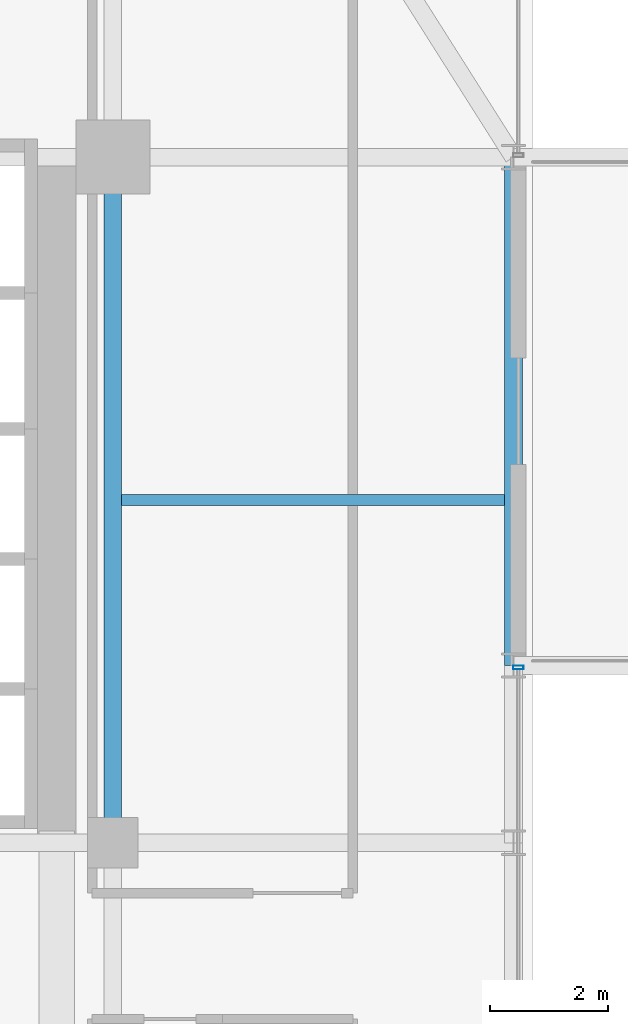
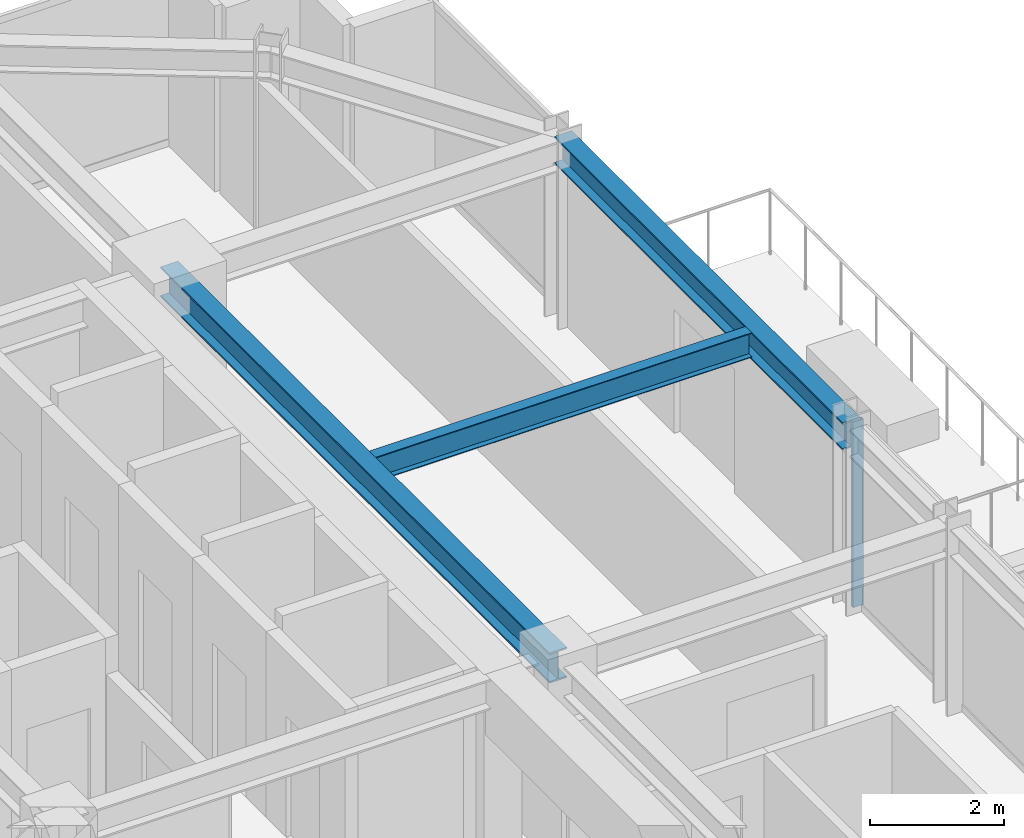
# One storey, part 21 of 32: 3 beams, 1 member, 1 element without a shape of its own.
"""IFC4 building model written with IfcOpenShell, lengths in metres."""

from ifc_helpers import new_model, si_unit, direction, frame, origin, origin_2d, place, context, subcontext, project, spatial, hollow_rectangle, i_section, extrude, source, transform, mapped, material, material_profile, profile_set, type_object, element, aggregate, save


model = new_model("IFC4")

# Units and contexts
model_context = context("Model", 3, precision=1e-05, world=origin(), true_north=direction((0.0, 1.0)))
body_context = subcontext(model_context, "Body", "Model", "MODEL_VIEW")
ifc_project = project(units=[si_unit("LENGTHUNIT", "METRE"), si_unit("AREAUNIT", "SQUARE_METRE"), si_unit("VOLUMEUNIT", "CUBIC_METRE"), si_unit("PLANEANGLEUNIT", "RADIAN"), si_unit("MASSUNIT", "GRAM", prefix="KILO")], contexts=[model_context])

# Site, building, storey
site_placement = place(None, origin())
site = spatial("IfcSite", under=ifc_project, at=site_placement, CompositionType="ELEMENT")
building_placement = place(site_placement, origin())
building = spatial("IfcBuilding", under=site, at=building_placement, Name="Nahalor Promenade Grand Hotel", CompositionType="ELEMENT")
storey_placement = place(building_placement, frame((0.0, 0.0, 102.89990234375)))
storey = spatial("IfcBuildingStorey", under=building, at=storey_placement, Name="L25", CompositionType="ELEMENT", Elevation=102.89990234375)

# Beams
ifc_material_1 = material(Name="Steel S355JR", Category="steel")
ifc_material_profile_1 = material_profile(ifc_material_1, i_section(OverallWidth=0.3, OverallDepth=0.5, WebThickness=0.0145, FlangeThickness=0.028, at=origin_2d()), Name="HEB 500")
ifc_profile_set_1 = profile_set([ifc_material_profile_1], Name="Steel S355JR")
beam_type_1 = type_object("IfcBeamType", Name="Beam-Spandrel-HEB500", PredefinedType="SPANDREL", material=ifc_profile_set_1)
shared_shape_1 = source(origin(), body_context, "Body", "SweptSolid", [
    extrude(i_section(OverallWidth=0.3, OverallDepth=0.5, WebThickness=0.0145, FlangeThickness=0.028, at=origin_2d()), origin(), (0.0, 0.0, 1.0), 8.60009765625),
])
beam_1_placement = place(storey_placement, frame((23.780029296875, 8.39990234375, 3.130126953125), z_axis=(0.0, 1.0, 0.0), x_axis=(-1.0, 0.0, 0.0)))
element("IfcBeam", 1, at=beam_1_placement, inside=storey, type_object=beam_type_1, Name="BM-L25-SP-E-4", PredefinedType="SPANDREL", context=body_context, shape_type="MappedRepresentation", body=[
    mapped(shared_shape_1, transform((0.0, 0.0, 0.0), scale=1.0)),
])
ifc_material_profile_2 = material_profile(ifc_material_1, i_section(OverallWidth=0.3, OverallDepth=0.55, WebThickness=0.015, FlangeThickness=0.029, at=origin_2d()), Name="HEB 550")
ifc_profile_set_2 = profile_set([ifc_material_profile_2], Name="Steel S355JR")
beam_type_2 = type_object("IfcBeamType", Name="Beam-Girder-HEB550", PredefinedType="BEAM", material=ifc_profile_set_2)
shared_shape_2 = source(origin(), body_context, "Body", "SweptSolid", [
    extrude(i_section(OverallWidth=0.3, OverallDepth=0.55, WebThickness=0.015, FlangeThickness=0.029, at=origin_2d()), origin(), (0.0, 0.0, 1.0), 11.60009765625),
])
beam_2_placement = place(storey_placement, frame((17.0, 5.39990234375, 3.10498046875), z_axis=(0.0, 1.0, 0.0), x_axis=(-1.0, 0.0, 0.0)))
element("IfcBeam", 2, at=beam_2_placement, inside=storey, type_object=beam_type_2, Name="BM-L25-GY-5-3", PredefinedType="BEAM", context=body_context, shape_type="MappedRepresentation", body=[
    mapped(shared_shape_2, transform((0.0, 0.0, 0.0), scale=1.0)),
])
ifc_material_profile_3 = material_profile(ifc_material_1, i_section(OverallWidth=0.19, OverallDepth=0.45, WebThickness=0.0094, FlangeThickness=0.0146, at=origin_2d()), Name="IPE 450")
ifc_profile_set_3 = profile_set([ifc_material_profile_3], Name="Steel S355JR")
beam_type_3 = type_object("IfcBeamType", Name="Beam-Joist-IPE450", PredefinedType="JOIST", material=ifc_profile_set_3)
shared_shape_3 = source(origin(), body_context, "Body", "SweptSolid", [
    extrude(i_section(OverallWidth=0.19, OverallDepth=0.45, WebThickness=0.0094, FlangeThickness=0.0146, at=origin_2d()), origin(), (0.0, 0.0, 1.0), 6.47998046875),
])
beam_3_placement = place(storey_placement, frame((17.14990234375, 11.199951171875, 3.155029296875), z_axis=(1.0, 0.0, 0.0), x_axis=(0.0, 1.0, 0.0)))
element("IfcBeam", 3, at=beam_3_placement, inside=storey, type_object=beam_type_3, Name="BM-L25-JSE-1-2", PredefinedType="JOIST", context=body_context, shape_type="MappedRepresentation", body=[
    mapped(shared_shape_3, transform((0.0, 0.0, 0.0), scale=1.0)),
])

# Curtain wall, member
ifc_material_2 = material(Name="Anodised Bronze Aluminium EN AW-6063 T6", Category="aluminium")
curtain_wall_type = type_object("IfcCurtainWallType", Name="CW2 Typical Hotel Flush Bronze Unitised Curtain Wall", PredefinedType="USERDEFINED", material=ifc_material_2)
curtain_wall_placement = place(storey_placement, origin())
curtain_wall = element("IfcCurtainWall", 4, at=curtain_wall_placement, inside=storey, type_object=curtain_wall_type, Name="L25 Curtain Wall CW-L25-E-1", ObjectType="UNITISED_CURTAIN_WALL", PredefinedType="USERDEFINED")
ifc_material_profile_4 = material_profile(ifc_material_2, hollow_rectangle(XDim=0.065, YDim=0.18, WallThickness=0.004, at=origin_2d()), Name="CWM 65x180x4")
ifc_profile_set_4 = profile_set([ifc_material_profile_4], Name="Anodised Bronze Aluminium EN AW-6063 T6")
member_type = type_object("IfcMemberType", Name="CWM2 Typical Bronze Mullion 65x180", PredefinedType="MULLION", material=ifc_profile_set_4)
shared_shape_4 = source(origin(), body_context, "Body", "SweptSolid", [
    extrude(hollow_rectangle(XDim=0.065, YDim=0.18, WallThickness=0.004, at=origin_2d()), origin(), (0.0, 0.0, 1.0), 3.380126953125),
])
member_placement = place(storey_placement, frame((23.860107421875, 8.367431640625, 0.0), z_axis=(0.0, 0.0, 1.0), x_axis=(0.0, 1.0, 0.0)))
member = element("IfcMember", 5, at=member_placement, type_object=member_type, Name="CW-L25-E-1 Mullion 3", PredefinedType="MULLION", context=body_context, shape_type="MappedRepresentation", body=[
    mapped(shared_shape_4, transform((0.0, 0.0, 0.0), scale=1.0)),
])
aggregate(curtain_wall, [member])

save(model, "model.ifc")
